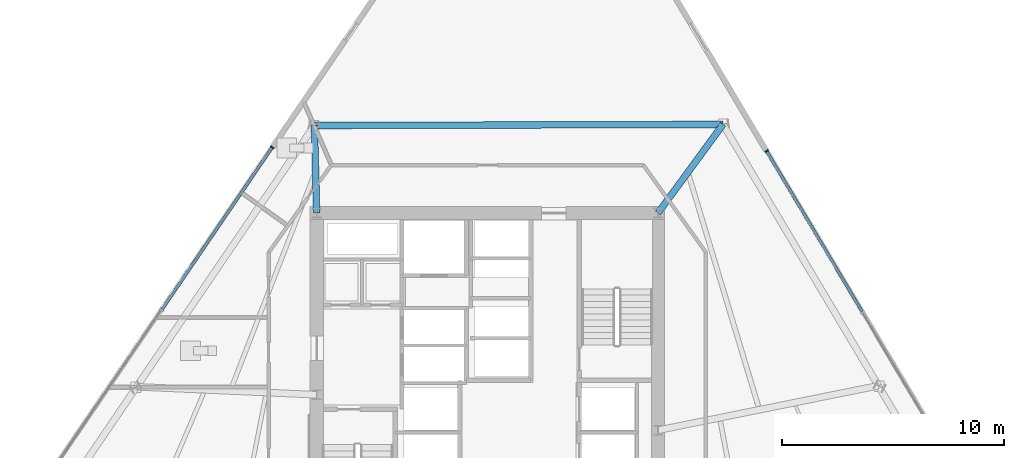
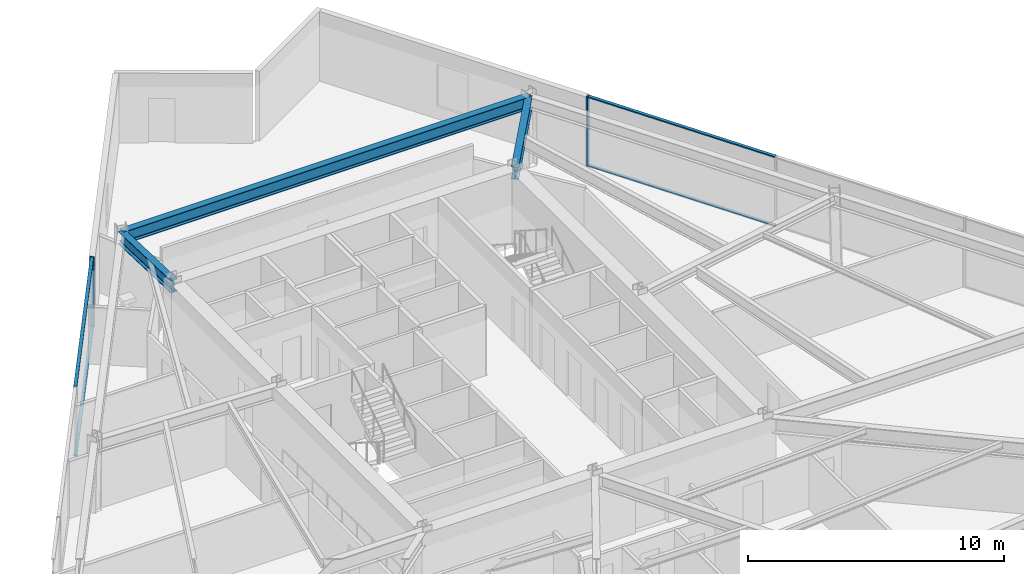
# One storey, part 7 of 18: 6 members, 3 beams, 2 elements without a shape of their own.
"""IFC4 building model written with IfcOpenShell, lengths in metres."""

from ifc_helpers import new_model, si_unit, direction, frame, origin, origin_2d, place, context, subcontext, project, spatial, rectangle, i_section, extrude, material, material_profile, profile_set, type_object, element, aggregate, save


model = new_model("IFC4")

# Units and contexts
model_context = context("Model", 3, precision=1e-05, world=origin(), true_north=direction((0.0, 1.0)))
body_context = subcontext(model_context, "Body", "Model", "MODEL_VIEW")
ifc_project = project(units=[si_unit("LENGTHUNIT", "METRE"), si_unit("AREAUNIT", "SQUARE_METRE"), si_unit("VOLUMEUNIT", "CUBIC_METRE"), si_unit("PLANEANGLEUNIT", "RADIAN"), si_unit("MASSUNIT", "GRAM", prefix="KILO")], contexts=[model_context])

# Site, building, storey
site_placement = place(None, origin())
site = spatial("IfcSite", under=ifc_project, at=site_placement, CompositionType="ELEMENT")
building_placement = place(site_placement, origin())
building = spatial("IfcBuilding", under=site, at=building_placement, Name="Savorim Split Tower", CompositionType="ELEMENT")
storey_placement = place(building_placement, frame((0.0, 0.0, 44.39990234375)))
storey = spatial("IfcBuildingStorey", under=building, at=storey_placement, Name="L11", CompositionType="ELEMENT", Elevation=44.39990234375)

# Beams
ifc_material_1 = material(Name="Steel S355", Category="steel")
ifc_material_profile_1 = material_profile(ifc_material_1, i_section(OverallWidth=0.300048828125, OverallDepth=0.60009765625, WebThickness=0.015380859375, FlangeThickness=0.030029296875, FilletRadius=0.027099609375, at=origin_2d()), Name="HEB 600")
ifc_profile_set_1 = profile_set([ifc_material_profile_1], Name="Steel S355")
beam_type_1 = type_object("IfcBeamType", Name="BM-PRI-HEB600", PredefinedType="BEAM", material=ifc_profile_set_1)
beam_1_placement = place(storey_placement, frame((10.631591796875, 14.1953125, 3.050048828125), z_axis=(-0.591587901403, -0.806240506867, 0.0), x_axis=(0.806240506867, -0.591587901403, 0.0)))
element("IfcBeam", 1, at=beam_1_placement, inside=storey, type_object=beam_type_1, Name="L11 Primary Floor Girder RG-07", PredefinedType="BEAM", context=body_context, shape_type="SweptSolid", body=[
    extrude(i_section(OverallWidth=0.300048828125, OverallDepth=0.60009765625, WebThickness=0.015380859375, FlangeThickness=0.030029296875, FilletRadius=0.027099609375, at=origin_2d()), origin(), (0.0, 0.0, 1.0), 4.95556640625),
])
beam_2_placement = place(storey_placement, frame((-7.802001953125, 14.146484375, 3.050048828125), z_axis=(0.02584969511, -0.9996658408, 0.0), x_axis=(0.9996658408, 0.02584969511, 0.0)))
element("IfcBeam", 2, at=beam_2_placement, inside=storey, type_object=beam_type_1, Name="L11 Primary Floor Girder RG-08", PredefinedType="BEAM", context=body_context, shape_type="SweptSolid", body=[
    extrude(i_section(OverallWidth=0.300048828125, OverallDepth=0.60009765625, WebThickness=0.015380859375, FlangeThickness=0.030029296875, FilletRadius=0.027099609375, at=origin_2d()), origin(), (0.0, 0.0, 1.0), 3.94775390625),
])
ifc_material_profile_2 = material_profile(ifc_material_1, i_section(OverallWidth=0.300048828125, OverallDepth=0.590087890625, WebThickness=0.012939453125, FlangeThickness=0.02490234375, FilletRadius=0.027099609375, at=origin_2d()), Name="HEA 600")
ifc_profile_set_2 = profile_set([ifc_material_profile_2], Name="Steel S355")
beam_type_2 = type_object("IfcBeamType", Name="BM-SPN-HEA600", PredefinedType="SPANDREL", material=ifc_profile_set_2)
beam_3_placement = place(storey_placement, frame((10.631591796875, 14.1953125, 3.05517578125), z_axis=(-0.999996491772, -0.002648856992, 0.0), x_axis=(0.002648856992, -0.999996491772, 0.0)))
element("IfcBeam", 3, at=beam_3_placement, inside=storey, type_object=beam_type_2, Name="L11 Perimeter Spandrel Beam 7", PredefinedType="SPANDREL", context=body_context, shape_type="SweptSolid", body=[
    extrude(i_section(OverallWidth=0.300048828125, OverallDepth=0.590087890625, WebThickness=0.012939453125, FlangeThickness=0.02490234375, FilletRadius=0.027099609375, at=origin_2d()), origin(), (0.0, 0.0, 1.0), 18.43359375),
])

# Curtain wall, member
ifc_material_2 = material(Name="Dark Ceramic-Fritted Insulated Glass", Category="glass")
curtain_wall_type = type_object("IfcCurtainWallType", Name="CW-TWR-FRIT-A", PredefinedType="NOTDEFINED", material=ifc_material_2)
curtain_wall_1_placement = place(storey_placement, origin())
curtain_wall_1 = element("IfcCurtainWall", 4, at=curtain_wall_1_placement, inside=storey, type_object=curtain_wall_type, Name="L11 Curtain Wall CW-L11-EAST", PredefinedType="NOTDEFINED")
ifc_material_3 = material(Name="Charcoal Anodised Aluminium", Category="aluminium")
ifc_material_profile_3 = material_profile(ifc_material_3, rectangle(XDim=0.179931640625, YDim=0.06494140625, at=origin_2d()), Name="ALU-M 180x65")
ifc_profile_set_3 = profile_set([ifc_material_profile_3], Name="Charcoal Anodised Aluminium")
member_type_1 = type_object("IfcMemberType", Name="CWM-180x65", PredefinedType="MULLION", material=ifc_profile_set_3)
member_1_placement = place(storey_placement, frame((12.599609375, 12.991455078125, 0.0), z_axis=(0.0, 0.0, 1.0), x_axis=(-0.859525752007, -0.511092439425, 0.0)))
member_1 = element("IfcMember", 5, at=member_1_placement, type_object=member_type_1, Name="CW-02 mullion 5", PredefinedType="MULLION", context=body_context, shape_type="SweptSolid", body=[
    extrude(rectangle(XDim=0.179931640625, YDim=0.06494140625, at=origin_2d()), origin(), (0.0, 0.0, 1.0), 3.35009765625),
])

curtain_wall_2_placement = place(storey_placement, origin())
curtain_wall_2 = element("IfcCurtainWall", 6, at=curtain_wall_2_placement, inside=storey, type_object=curtain_wall_type, Name="L11 Curtain Wall CW-L11-WEST", PredefinedType="NOTDEFINED")
member_2_placement = place(storey_placement, frame((-9.702392578125, 13.1640625, 0.0), z_axis=(0.0, 0.0, 1.0), x_axis=(0.826820923165, -0.562465253164, 0.0)))
member_2 = element("IfcMember", 7, at=member_2_placement, type_object=member_type_1, Name="CW-02 mullion 1", PredefinedType="MULLION", context=body_context, shape_type="SweptSolid", body=[
    extrude(rectangle(XDim=0.179931640625, YDim=0.06494140625, at=origin_2d()), origin(), (0.0, 0.0, 1.0), 3.35009765625),
])

# Member
ifc_material_profile_4 = material_profile(ifc_material_3, rectangle(XDim=0.139892578125, YDim=0.054931640625, at=origin_2d()), Name="ALU-T 140x55")
ifc_profile_set_4 = profile_set([ifc_material_profile_4], Name="Charcoal Anodised Aluminium")
member_type_2 = type_object("IfcMemberType", Name="CWT-140x55", PredefinedType="USERDEFINED", material=ifc_profile_set_4)
member_3_placement = place(storey_placement, frame((16.90673828125, 5.748046875, 0.027587890625), z_axis=(-0.511091652485, 0.859526219938, 0.0), x_axis=(-0.859526219938, -0.511091652485, 0.0)))
member_3 = element("IfcMember", 8, at=member_3_placement, type_object=member_type_2, Name="CW-02 transom 4.1", ObjectType="TRANSOM", PredefinedType="USERDEFINED", context=body_context, shape_type="SweptSolid", body=[
    extrude(rectangle(XDim=0.139892578125, YDim=0.054931640625, at=origin_2d()), origin(), (0.0, 0.0, 1.0), 8.394775390625),
])

member_4_placement = place(storey_placement, frame((16.90673828125, 5.748046875, 3.322509765625), z_axis=(-0.511091652485, 0.859526219938, 0.0), x_axis=(-0.859526219938, -0.511091652485, 0.0)))
member_4 = element("IfcMember", 9, at=member_4_placement, type_object=member_type_2, Name="CW-02 transom 4.2", ObjectType="TRANSOM", PredefinedType="USERDEFINED", context=body_context, shape_type="SweptSolid", body=[
    extrude(rectangle(XDim=0.139892578125, YDim=0.054931640625, at=origin_2d()), origin(), (0.0, 0.0, 1.0), 8.394775390625),
])

aggregate(curtain_wall_1, [member_1, member_3, member_4])

member_5_placement = place(storey_placement, frame((-9.720458984375, 13.13720703125, 0.027587890625), z_axis=(-0.562479559143, -0.82681119099, 0.0), x_axis=(0.82681119099, -0.562479559143, 0.0)))
member_5 = element("IfcMember", 10, at=member_5_placement, type_object=member_type_2, Name="CW-02 transom 1.1", ObjectType="TRANSOM", PredefinedType="USERDEFINED", context=body_context, shape_type="SweptSolid", body=[
    extrude(rectangle(XDim=0.139892578125, YDim=0.054931640625, at=origin_2d()), origin(), (0.0, 0.0, 1.0), 8.822265625),
])

member_6_placement = place(storey_placement, frame((-9.720458984375, 13.13720703125, 3.322509765625), z_axis=(-0.562479559143, -0.82681119099, 0.0), x_axis=(0.82681119099, -0.562479559143, 0.0)))
member_6 = element("IfcMember", 11, at=member_6_placement, type_object=member_type_2, Name="CW-02 transom 1.2", ObjectType="TRANSOM", PredefinedType="USERDEFINED", context=body_context, shape_type="SweptSolid", body=[
    extrude(rectangle(XDim=0.139892578125, YDim=0.054931640625, at=origin_2d()), origin(), (0.0, 0.0, 1.0), 8.822265625),
])

aggregate(curtain_wall_2, [member_2, member_5, member_6])

save(model, "model.ifc")
